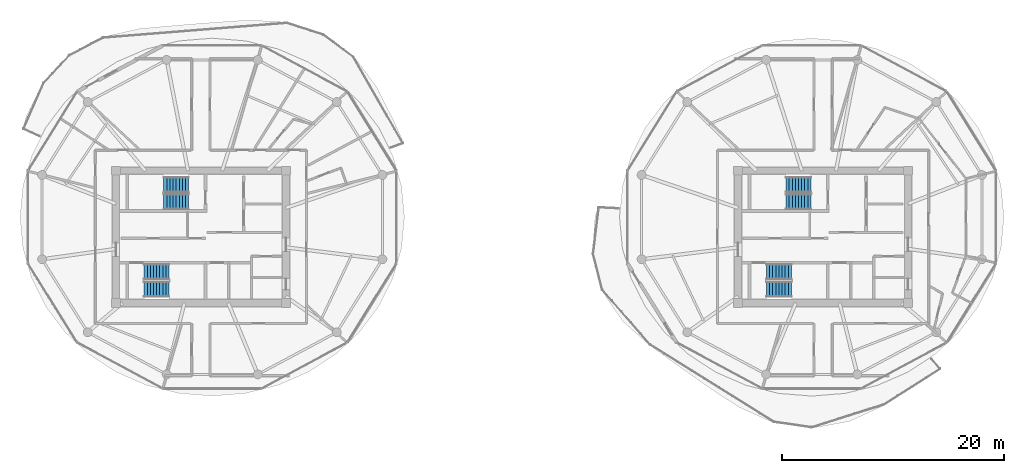
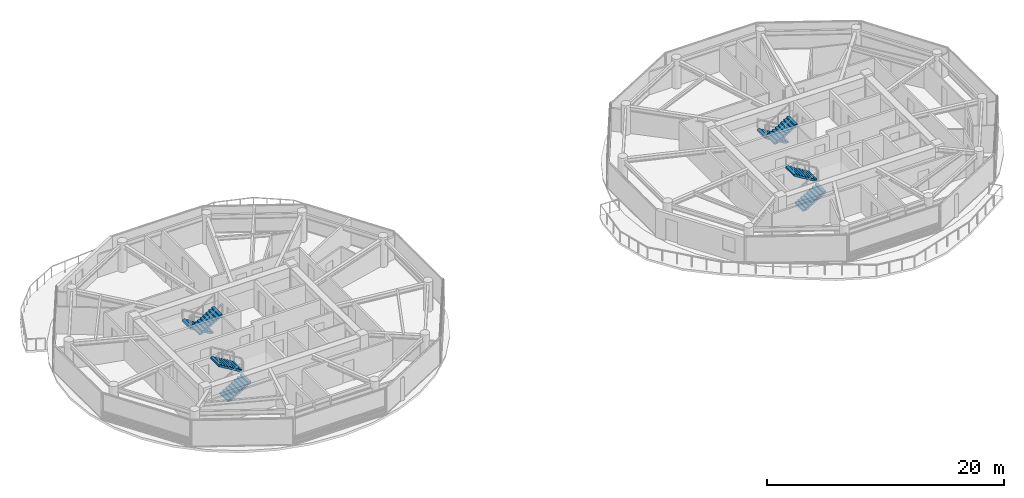
# One storey, part 17 of 21: 8 stair flights, 4 elements without a shape of their own.
"""IFC4 building model written with IfcOpenShell, lengths in metres."""

from ifc_helpers import new_model, si_unit, direction, frame, origin, place, context, subcontext, project, spatial, polyline, outline, extrude, material, type_object, element, aggregate, save


model = new_model("IFC4")

# Units and contexts
model_context = context("Model", 3, precision=1e-05, world=origin(), true_north=direction((0.0, 1.0)))
body_context = subcontext(model_context, "Body", "Model", "MODEL_VIEW")
ifc_project = project(units=[si_unit("LENGTHUNIT", "METRE"), si_unit("AREAUNIT", "SQUARE_METRE"), si_unit("VOLUMEUNIT", "CUBIC_METRE"), si_unit("PLANEANGLEUNIT", "RADIAN"), si_unit("MASSUNIT", "GRAM", prefix="KILO")], contexts=[model_context])

# Site, building, storey
site_placement = place(None, origin())
site = spatial("IfcSite", under=ifc_project, at=site_placement, CompositionType="ELEMENT")
building_placement = place(site_placement, origin())
building = spatial("IfcBuilding", under=site, at=building_placement, Name="Norrkilde Senior Care Towers", CompositionType="ELEMENT")
storey_placement = place(building_placement, frame((0.0, 0.0, 149.550048828125)))
storey = spatial("IfcBuildingStorey", under=building, at=storey_placement, Name="L46", CompositionType="ELEMENT", Elevation=149.550048828125)

# Stair, stair flights
ifc_material = material(Name="Concrete C45/55", Category="concrete")
stair_type = type_object("IfcStairType", Name="Core Protected Dogleg Stair Typical 3050", PredefinedType="HALF_TURN_STAIR", material=ifc_material)
stair_1_placement = place(storey_placement, origin())
stair_1 = element("IfcStair", 1, at=stair_1_placement, inside=storey, type_object=stair_type, Name="L46 Protected Core Stair W1", PredefinedType="HALF_TURN_STAIR")
stair_flight_type = type_object("IfcStairFlightType", Name="Core Protected Dogleg Stair Typical 3050 Flight", PredefinedType="STRAIGHT", material=ifc_material)
stair_flight_1_placement = place(storey_placement, frame((-29.10009765625, 4.699951171875, 0.0), z_axis=(0.0, 0.0, 1.0), x_axis=(-1.0, 0.0, 0.0)))
stair_flight_1 = element("IfcStairFlight", 2, at=stair_flight_1_placement, type_object=stair_flight_type, Name="ST-W1 flight 1", NumberOfRisers=9, NumberOfTreads=8, PredefinedType="STRAIGHT", RiserHeight=0.169444444, TreadLength=0.28, context=body_context, shape_type="SweptSolid", body=[
    extrude(outline(polyline([(0.0, 0.0), (0.0, 0.16943359375), (0.280029296875, 0.16943359375), (0.280029296875, 0.3388671875), (0.56005859375, 0.3388671875), (0.56005859375, 0.50830078125), (0.840087890625, 0.50830078125), (0.840087890625, 0.677734375), (1.1201171875, 0.677734375), (1.1201171875, 0.84716796875), (1.39990234375, 0.84716796875), (1.39990234375, 1.0166015625), (1.679931640625, 1.0166015625), (1.679931640625, 1.18603515625), (1.9599609375, 1.18603515625), (1.9599609375, 1.35546875), (2.239990234375, 1.35546875), (2.239990234375, 1.52490234375), (2.239990234375, 1.180419921875), (0.28955078125, 0.0), (0.0, 0.0)])), frame((0.0, 0.699951171875, 0.0), z_axis=(0.0, -1.0, 0.0), x_axis=(1.0, 0.0, 0.0)), (0.0, 0.0, 1.0), 1.39990234375),
])
stair_flight_2_placement = place(storey_placement, frame((-31.340087890625, 3.14990234375, 1.52490234375), z_axis=(0.0, 0.0, 1.0), x_axis=(1.0, 0.0, 0.0)))
stair_flight_2 = element("IfcStairFlight", 3, at=stair_flight_2_placement, type_object=stair_flight_type, Name="ST-W1 flight 2", NumberOfRisers=9, NumberOfTreads=8, PredefinedType="STRAIGHT", RiserHeight=0.169444444, TreadLength=0.28, context=body_context, shape_type="SweptSolid", body=[
    extrude(outline(polyline([(0.0, 0.0), (0.0, 0.16943359375), (0.280029296875, 0.16943359375), (0.280029296875, 0.3388671875), (0.56005859375, 0.3388671875), (0.56005859375, 0.50830078125), (0.840087890625, 0.50830078125), (0.840087890625, 0.677734375), (1.1201171875, 0.677734375), (1.1201171875, 0.84716796875), (1.39990234375, 0.84716796875), (1.39990234375, 1.0166015625), (1.679931640625, 1.0166015625), (1.679931640625, 1.18603515625), (1.9599609375, 1.18603515625), (1.9599609375, 1.35546875), (2.239990234375, 1.35546875), (2.239990234375, 1.52490234375), (2.239990234375, 1.180419921875), (0.28955078125, 0.0), (0.0, 0.0)])), frame((0.0, 0.699951171875, 0.0), z_axis=(0.0, -1.0, 0.0), x_axis=(1.0, 0.0, 0.0)), (0.0, 0.0, 1.0), 1.39990234375),
])
aggregate(stair_1, [stair_flight_1, stair_flight_2])

stair_2_placement = place(storey_placement, origin())
stair_2 = element("IfcStair", 4, at=stair_2_placement, inside=storey, type_object=stair_type, Name="L46 Protected Core Stair W2", PredefinedType="HALF_TURN_STAIR")
stair_flight_3_placement = place(storey_placement, frame((-33.10009765625, -4.699951171875, 0.0), z_axis=(0.0, 0.0, 1.0), x_axis=(1.0, 0.0, 0.0)))
stair_flight_3 = element("IfcStairFlight", 5, at=stair_flight_3_placement, type_object=stair_flight_type, Name="ST-W2 flight 1", NumberOfRisers=9, NumberOfTreads=8, PredefinedType="STRAIGHT", RiserHeight=0.169444444, TreadLength=0.28, context=body_context, shape_type="SweptSolid", body=[
    extrude(outline(polyline([(0.0, 0.0), (0.0, 0.16943359375), (0.280029296875, 0.16943359375), (0.280029296875, 0.3388671875), (0.56005859375, 0.3388671875), (0.56005859375, 0.50830078125), (0.840087890625, 0.50830078125), (0.840087890625, 0.677734375), (1.1201171875, 0.677734375), (1.1201171875, 0.84716796875), (1.39990234375, 0.84716796875), (1.39990234375, 1.0166015625), (1.679931640625, 1.0166015625), (1.679931640625, 1.18603515625), (1.9599609375, 1.18603515625), (1.9599609375, 1.35546875), (2.239990234375, 1.35546875), (2.239990234375, 1.52490234375), (2.239990234375, 1.180419921875), (0.28955078125, 0.0), (0.0, 0.0)])), frame((0.0, 0.699951171875, 0.0), z_axis=(0.0, -1.0, 0.0), x_axis=(1.0, 0.0, 0.0)), (0.0, 0.0, 1.0), 1.39990234375),
])
stair_flight_4_placement = place(storey_placement, frame((-30.860107421875, -3.14990234375, 1.52490234375), z_axis=(0.0, 0.0, 1.0), x_axis=(-1.0, 0.0, 0.0)))
stair_flight_4 = element("IfcStairFlight", 6, at=stair_flight_4_placement, type_object=stair_flight_type, Name="ST-W2 flight 2", NumberOfRisers=9, NumberOfTreads=8, PredefinedType="STRAIGHT", RiserHeight=0.169444444, TreadLength=0.28, context=body_context, shape_type="SweptSolid", body=[
    extrude(outline(polyline([(0.0, 0.0), (0.0, 0.16943359375), (0.280029296875, 0.16943359375), (0.280029296875, 0.3388671875), (0.56005859375, 0.3388671875), (0.56005859375, 0.50830078125), (0.840087890625, 0.50830078125), (0.840087890625, 0.677734375), (1.1201171875, 0.677734375), (1.1201171875, 0.84716796875), (1.39990234375, 0.84716796875), (1.39990234375, 1.0166015625), (1.679931640625, 1.0166015625), (1.679931640625, 1.18603515625), (1.9599609375, 1.18603515625), (1.9599609375, 1.35546875), (2.239990234375, 1.35546875), (2.239990234375, 1.52490234375), (2.239990234375, 1.180419921875), (0.28955078125, 0.0), (0.0, 0.0)])), frame((0.0, 0.699951171875, 0.0), z_axis=(0.0, -1.0, 0.0), x_axis=(1.0, 0.0, 0.0)), (0.0, 0.0, 1.0), 1.39990234375),
])
aggregate(stair_2, [stair_flight_3, stair_flight_4])

stair_3_placement = place(storey_placement, origin())
stair_3 = element("IfcStair", 7, at=stair_3_placement, inside=storey, type_object=stair_type, Name="L46 Protected Core Stair E1", PredefinedType="HALF_TURN_STAIR")
stair_flight_5_placement = place(storey_placement, frame((26.89990234375, 4.699951171875, 0.0), z_axis=(0.0, 0.0, 1.0), x_axis=(-1.0, 0.0, 0.0)))
stair_flight_5 = element("IfcStairFlight", 8, at=stair_flight_5_placement, type_object=stair_flight_type, Name="ST-E1 flight 1", NumberOfRisers=9, NumberOfTreads=8, PredefinedType="STRAIGHT", RiserHeight=0.169444444, TreadLength=0.28, context=body_context, shape_type="SweptSolid", body=[
    extrude(outline(polyline([(0.0, 0.0), (0.0, 0.16943359375), (0.280029296875, 0.16943359375), (0.280029296875, 0.3388671875), (0.56005859375, 0.3388671875), (0.56005859375, 0.50830078125), (0.840087890625, 0.50830078125), (0.840087890625, 0.677734375), (1.1201171875, 0.677734375), (1.1201171875, 0.84716796875), (1.39990234375, 0.84716796875), (1.39990234375, 1.0166015625), (1.679931640625, 1.0166015625), (1.679931640625, 1.18603515625), (1.9599609375, 1.18603515625), (1.9599609375, 1.35546875), (2.239990234375, 1.35546875), (2.239990234375, 1.52490234375), (2.239990234375, 1.180419921875), (0.28955078125, 0.0), (0.0, 0.0)])), frame((0.0, 0.699951171875, 0.0), z_axis=(0.0, -1.0, 0.0), x_axis=(1.0, 0.0, 0.0)), (0.0, 0.0, 1.0), 1.39990234375),
])
stair_flight_6_placement = place(storey_placement, frame((24.659912109375, 3.14990234375, 1.52490234375), z_axis=(0.0, 0.0, 1.0), x_axis=(1.0, 0.0, 0.0)))
stair_flight_6 = element("IfcStairFlight", 9, at=stair_flight_6_placement, type_object=stair_flight_type, Name="ST-E1 flight 2", NumberOfRisers=9, NumberOfTreads=8, PredefinedType="STRAIGHT", RiserHeight=0.169444444, TreadLength=0.28, context=body_context, shape_type="SweptSolid", body=[
    extrude(outline(polyline([(0.0, 0.0), (0.0, 0.16943359375), (0.280029296875, 0.16943359375), (0.280029296875, 0.3388671875), (0.56005859375, 0.3388671875), (0.56005859375, 0.50830078125), (0.840087890625, 0.50830078125), (0.840087890625, 0.677734375), (1.1201171875, 0.677734375), (1.1201171875, 0.84716796875), (1.39990234375, 0.84716796875), (1.39990234375, 1.0166015625), (1.679931640625, 1.0166015625), (1.679931640625, 1.18603515625), (1.9599609375, 1.18603515625), (1.9599609375, 1.35546875), (2.239990234375, 1.35546875), (2.239990234375, 1.52490234375), (2.239990234375, 1.180419921875), (0.28955078125, 0.0), (0.0, 0.0)])), frame((0.0, 0.699951171875, 0.0), z_axis=(0.0, -1.0, 0.0), x_axis=(1.0, 0.0, 0.0)), (0.0, 0.0, 1.0), 1.39990234375),
])
aggregate(stair_3, [stair_flight_5, stair_flight_6])

stair_4_placement = place(storey_placement, origin())
stair_4 = element("IfcStair", 10, at=stair_4_placement, inside=storey, type_object=stair_type, Name="L46 Protected Core Stair E2", PredefinedType="HALF_TURN_STAIR")
stair_flight_7_placement = place(storey_placement, frame((22.89990234375, -4.699951171875, 0.0), z_axis=(0.0, 0.0, 1.0), x_axis=(1.0, 0.0, 0.0)))
stair_flight_7 = element("IfcStairFlight", 11, at=stair_flight_7_placement, type_object=stair_flight_type, Name="ST-E2 flight 1", NumberOfRisers=9, NumberOfTreads=8, PredefinedType="STRAIGHT", RiserHeight=0.169444444, TreadLength=0.28, context=body_context, shape_type="SweptSolid", body=[
    extrude(outline(polyline([(0.0, 0.0), (0.0, 0.16943359375), (0.280029296875, 0.16943359375), (0.280029296875, 0.3388671875), (0.56005859375, 0.3388671875), (0.56005859375, 0.50830078125), (0.840087890625, 0.50830078125), (0.840087890625, 0.677734375), (1.1201171875, 0.677734375), (1.1201171875, 0.84716796875), (1.39990234375, 0.84716796875), (1.39990234375, 1.0166015625), (1.679931640625, 1.0166015625), (1.679931640625, 1.18603515625), (1.9599609375, 1.18603515625), (1.9599609375, 1.35546875), (2.239990234375, 1.35546875), (2.239990234375, 1.52490234375), (2.239990234375, 1.180419921875), (0.28955078125, 0.0), (0.0, 0.0)])), frame((0.0, 0.699951171875, 0.0), z_axis=(0.0, -1.0, 0.0), x_axis=(1.0, 0.0, 0.0)), (0.0, 0.0, 1.0), 1.39990234375),
])
stair_flight_8_placement = place(storey_placement, frame((25.139892578125, -3.14990234375, 1.52490234375), z_axis=(0.0, 0.0, 1.0), x_axis=(-1.0, 0.0, 0.0)))
stair_flight_8 = element("IfcStairFlight", 12, at=stair_flight_8_placement, type_object=stair_flight_type, Name="ST-E2 flight 2", NumberOfRisers=9, NumberOfTreads=8, PredefinedType="STRAIGHT", RiserHeight=0.169444444, TreadLength=0.28, context=body_context, shape_type="SweptSolid", body=[
    extrude(outline(polyline([(0.0, 0.0), (0.0, 0.16943359375), (0.280029296875, 0.16943359375), (0.280029296875, 0.3388671875), (0.56005859375, 0.3388671875), (0.56005859375, 0.50830078125), (0.840087890625, 0.50830078125), (0.840087890625, 0.677734375), (1.1201171875, 0.677734375), (1.1201171875, 0.84716796875), (1.39990234375, 0.84716796875), (1.39990234375, 1.0166015625), (1.679931640625, 1.0166015625), (1.679931640625, 1.18603515625), (1.9599609375, 1.18603515625), (1.9599609375, 1.35546875), (2.239990234375, 1.35546875), (2.239990234375, 1.52490234375), (2.239990234375, 1.180419921875), (0.28955078125, 0.0), (0.0, 0.0)])), frame((0.0, 0.699951171875, 0.0), z_axis=(0.0, -1.0, 0.0), x_axis=(1.0, 0.0, 0.0)), (0.0, 0.0, 1.0), 1.39990234375),
])
aggregate(stair_4, [stair_flight_7, stair_flight_8])

save(model, "model.ifc")
